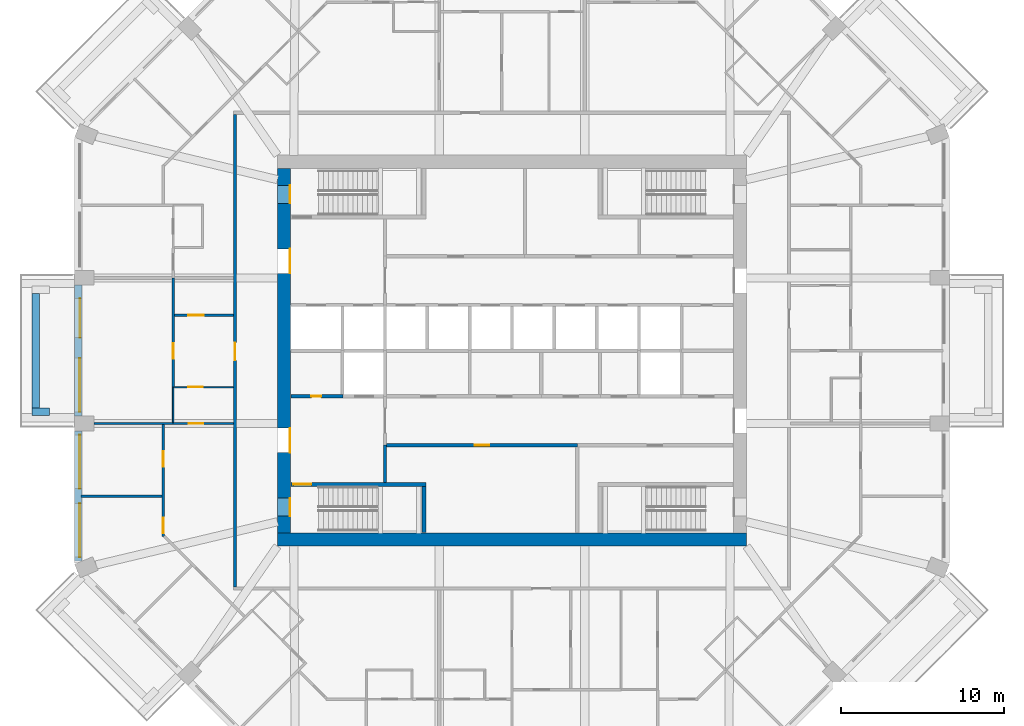
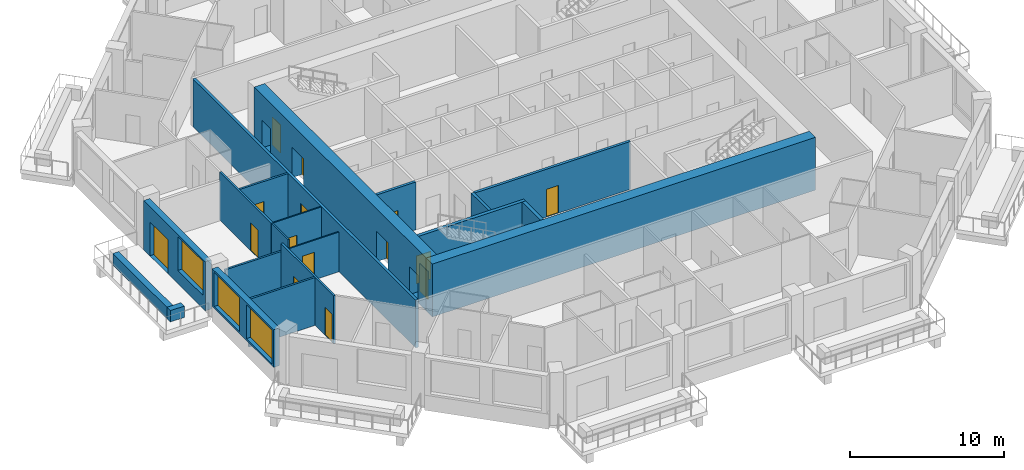
# One storey, part 4 of 13: 20 walls, 15 doors, 3 windows, 18 openings.
"""IFC4 building model written with IfcOpenShell, lengths in metres."""

from ifc_helpers import new_model, si_unit, direction, frame, frame_2d, origin, place, context, subcontext, project, spatial, rectangle, extrude, material, layer, layer_set, type_object, element, fill, save


model = new_model("IFC4")

# Units and contexts
model_context = context("Model", 3, precision=1e-05, world=origin(), true_north=direction((0.0, 1.0)))
body_context = subcontext(model_context, "Body", "Model", "MODEL_VIEW")
ifc_project = project(units=[si_unit("LENGTHUNIT", "METRE"), si_unit("AREAUNIT", "SQUARE_METRE"), si_unit("VOLUMEUNIT", "CUBIC_METRE"), si_unit("PLANEANGLEUNIT", "RADIAN"), si_unit("MASSUNIT", "GRAM", prefix="KILO")], contexts=[model_context])

# Site, building, storey
site_placement = place(None, origin())
site = spatial("IfcSite", under=ifc_project, at=site_placement, CompositionType="ELEMENT")
building_placement = place(site_placement, origin())
building = spatial("IfcBuilding", under=site, at=building_placement, Name="Msitu Wima Residences", CompositionType="ELEMENT")
storey_placement = place(building_placement, frame((0.0, 0.0, 152.699951171875)))
storey = spatial("IfcBuildingStorey", under=building, at=storey_placement, Name="L35", CompositionType="ELEMENT", Elevation=152.699951171875)

# Walls
ifc_material_1 = material(Name="Facing brick")
ifc_layer_1 = layer(ifc_material_1, 0.06494140625, Name="Facing brick")
ifc_material_2 = material(Name="Concrete C40/50", Category="concrete")
ifc_layer_2 = layer(ifc_material_2, 0.156005859375, Name="Concrete C40/50")
ifc_material_3 = material(Name="Waterproofing membrane")
ifc_layer_3 = layer(ifc_material_3, 0.00390625, Name="Waterproofing membrane")
ifc_material_4 = material(Name="Planting soil and planting")
ifc_layer_4 = layer(ifc_material_4, 0.22509765625, Name="Planting soil and planting")
ifc_layer_set_1 = layer_set([ifc_layer_1, ifc_layer_2, ifc_layer_3, ifc_layer_4], Name="Concrete C40/50")
wall_type_1 = type_object("IfcWallType", Name="Balcony planter PLANTER PL450", PredefinedType="USERDEFINED", material=ifc_layer_set_1)
wall_1_placement = place(storey_placement, frame((-29.22509765625, 3.5185546875, 0.0), z_axis=(0.0, 0.0, 1.0), x_axis=(0.0, -1.0, 0.0)))
element("IfcWall", 1, at=wall_1_placement, inside=storey, type_object=wall_type_1, Name="Balcony planter W1 L35", ObjectType="PLANTER", PredefinedType="USERDEFINED", context=body_context, shape_type="SweptSolid", body=[
    extrude(rectangle(XDim=7.037109375, YDim=0.449951171875, at=frame_2d((3.5185546875, 0.0))), origin(), (0.0, 0.0, 1.0), 0.900146484375),
])
wall_2_placement = place(storey_placement, frame((-28.39990234375, -3.74365234375, 0.0), z_axis=(0.0, 0.0, 1.0), x_axis=(-1.0, 0.0, 0.0)))
element("IfcWall", 2, at=wall_2_placement, inside=storey, type_object=wall_type_1, Name="Balcony planter W1 L35", ObjectType="PLANTER", PredefinedType="USERDEFINED", context=body_context, shape_type="SweptSolid", body=[
    extrude(rectangle(XDim=1.050048828125, YDim=0.449951171875, at=frame_2d((0.52490234375, 0.0))), origin(), (0.0, 0.0, 1.0), 0.900146484375),
])

# Wall, openings, door, window
ifc_material_5 = material(Name="Brick (red buff mix)", Category="masonry")
ifc_layer_5 = layer(ifc_material_5, 0.449951171875)
ifc_layer_set_2 = layer_set([ifc_layer_5], Name="Brick (red buff mix)")
wall_type_2 = type_object("IfcWallType", Name="Brick infill wall BW450", PredefinedType="SOLIDWALL", material=ifc_layer_set_2)
wall_3_placement = place(storey_placement, frame((-26.625, 4.0185546875, 0.0), z_axis=(0.0, 0.0, 1.0), x_axis=(0.0, -1.0, 0.0)))
wall_3 = element("IfcWall", 3, at=wall_3_placement, inside=storey, type_object=wall_type_2, Name="Brick infill wall L35 W1", PredefinedType="SOLIDWALL", context=body_context, shape_type="SweptSolid", body=[
    extrude(rectangle(XDim=8.037109375, YDim=0.449951171875, at=frame_2d((4.0185546875, 0.0))), origin(), (0.0, 0.0, 1.0), 3.900146484375),
])
opening_1_placement = place(wall_3_placement, frame((0.809326171875, 0.0, 0.0)))
opening_1 = element("IfcOpeningElement", 4, at=opening_1_placement, cuts=wall_3, Name="Opening D34-35.010", PredefinedType="OPENING", context=body_context, shape_type="SweptSolid", body=[
    extrude(rectangle(XDim=2.39990234375, YDim=2.699951171875, at=frame_2d((1.199951171875, 1.35009765625))), frame((0.0, 0.23486328125, 0.0), z_axis=(0.0, -1.0, 0.0), x_axis=(1.0, 0.0, 0.0)), (0.0, 0.0, 1.0), 0.469970703125),
])
opening_2_placement = place(wall_3_placement, frame((4.46875, 0.0, 1.050048828125)))
opening_2 = element("IfcOpeningElement", 5, at=opening_2_placement, cuts=wall_3, Name="Opening W34-35.028", PredefinedType="OPENING", context=body_context, shape_type="SweptSolid", body=[
    extrude(rectangle(XDim=3.300048828125, YDim=2.699951171875, at=frame_2d((1.64990234375, 1.35009765625))), frame((0.0, 0.23486328125, 0.0), z_axis=(0.0, -1.0, 0.0), x_axis=(1.0, 0.0, 0.0)), (0.0, 0.0, 1.0), 0.469970703125),
])
ifc_material_6 = material(Name="Anodised aluminium, bronze finish, clear low-emissivity double glazing", Category="aluminium")
door_type_1 = type_object("IfcDoorType", Name="Balcony door D2400x2700", OperationType="SLIDING_TO_LEFT", PredefinedType="DOOR", material=ifc_material_6)
door_1_placement = place(opening_1_placement, origin())
door_1 = element("IfcDoor", 6, at=door_1_placement, inside=storey, type_object=door_type_1, Name="Balcony door L35 W1", OperationType="SINGLE_SWING_LEFT", OverallHeight=2.699951171875, OverallWidth=2.39990234375, PredefinedType="DOOR", context=body_context, shape_type="SweptSolid", body=[
    extrude(rectangle(XDim=2.39990234375, YDim=2.699951171875, at=frame_2d((1.199951171875, 1.35009765625))), frame((0.0, 0.1298828125, 0.0), z_axis=(0.0, -1.0, 0.0), x_axis=(1.0, 0.0, 0.0)), (0.0, 0.0, 1.0), 0.050048828125),
])
fill(opening_1, door_1)
window_type = type_object("IfcWindowType", Name="Window W3300x2700", PartitioningType="DOUBLE_PANEL_VERTICAL", PredefinedType="WINDOW", material=ifc_material_6)
window_1_placement = place(opening_2_placement, origin())
window_1 = element("IfcWindow", 7, at=window_1_placement, inside=storey, type_object=window_type, Name="Window L35 W1.2", OverallHeight=2.699951171875, OverallWidth=3.300048828125, PartitioningType="SINGLE_PANEL", PredefinedType="WINDOW", context=body_context, shape_type="SweptSolid", body=[
    extrude(rectangle(XDim=3.300048828125, YDim=2.699951171875, at=frame_2d((1.64990234375, 1.35009765625))), frame((0.0, 0.135009765625, 0.0), z_axis=(0.0, -1.0, 0.0), x_axis=(1.0, 0.0, 0.0)), (0.0, 0.0, 1.0), 0.06005859375),
])
fill(opening_2, window_1)

# Wall, openings, windows
wall_4_placement = place(storey_placement, frame((-26.625, -4.918701171875, 0.900146484375), z_axis=(0.0, 0.0, 1.0), x_axis=(0.0, -1.0, 0.0)))
wall_4 = element("IfcWall", 8, at=wall_4_placement, inside=storey, type_object=wall_type_2, Name="Brick infill wall L35 W2", PredefinedType="SOLIDWALL", context=body_context, shape_type="SweptSolid", body=[
    extrude(rectangle(XDim=8.0, YDim=0.449951171875, at=frame_2d((4.0, 0.0))), origin(), (0.0, 0.0, 1.0), 3.0),
])
opening_3_placement = place(wall_4_placement, frame((0.25, 0.0, 0.14990234375)))
opening_3 = element("IfcOpeningElement", 9, at=opening_3_placement, cuts=wall_4, Name="Opening W34-35.029", PredefinedType="OPENING", context=body_context, shape_type="SweptSolid", body=[
    extrude(rectangle(XDim=3.300048828125, YDim=2.699951171875, at=frame_2d((1.64990234375, 1.35009765625))), frame((0.0, 0.23486328125, 0.0), z_axis=(0.0, -1.0, 0.0), x_axis=(1.0, 0.0, 0.0)), (0.0, 0.0, 1.0), 0.469970703125),
])
opening_4_placement = place(wall_4_placement, frame((4.4501953125, 0.0, 0.14990234375)))
opening_4 = element("IfcOpeningElement", 10, at=opening_4_placement, cuts=wall_4, Name="Opening W34-35.030", PredefinedType="OPENING", context=body_context, shape_type="SweptSolid", body=[
    extrude(rectangle(XDim=3.300048828125, YDim=2.699951171875, at=frame_2d((1.64990234375, 1.35009765625))), frame((0.0, 0.23486328125, 0.0), z_axis=(0.0, -1.0, 0.0), x_axis=(1.0, 0.0, 0.0)), (0.0, 0.0, 1.0), 0.469970703125),
])
window_2_placement = place(opening_3_placement, origin())
window_2 = element("IfcWindow", 11, at=window_2_placement, inside=storey, type_object=window_type, Name="Window L35 W2.1", OverallHeight=2.699951171875, OverallWidth=3.300048828125, PartitioningType="SINGLE_PANEL", PredefinedType="WINDOW", context=body_context, shape_type="SweptSolid", body=[
    extrude(rectangle(XDim=3.300048828125, YDim=2.699951171875, at=frame_2d((1.64990234375, 1.35009765625))), frame((0.0, 0.135009765625, 0.0), z_axis=(0.0, -1.0, 0.0), x_axis=(1.0, 0.0, 0.0)), (0.0, 0.0, 1.0), 0.06005859375),
])
fill(opening_3, window_2)
window_3_placement = place(opening_4_placement, origin())
window_3 = element("IfcWindow", 12, at=window_3_placement, inside=storey, type_object=window_type, Name="Window L35 W2.2", OverallHeight=2.699951171875, OverallWidth=3.300048828125, PartitioningType="SINGLE_PANEL", PredefinedType="WINDOW", context=body_context, shape_type="SweptSolid", body=[
    extrude(rectangle(XDim=3.300048828125, YDim=2.699951171875, at=frame_2d((1.64990234375, 1.35009765625))), frame((0.0, 0.135009765625, 0.0), z_axis=(0.0, -1.0, 0.0), x_axis=(1.0, 0.0, 0.0)), (0.0, 0.0, 1.0), 0.06005859375),
])
fill(opening_4, window_3)

# Wall
ifc_material_7 = material(Name="Concrete C70/85", Category="concrete")
ifc_layer_6 = layer(ifc_material_7, 0.800048828125)
ifc_layer_set_3 = layer_set([ifc_layer_6], Name="Concrete C70/85")
wall_type_3 = type_object("IfcWallType", Name="Core wall CW800 C70/85", PredefinedType="SHEAR", material=ifc_layer_set_3)
wall_5_placement = place(storey_placement, frame((-14.39990234375, -11.60009765625, 0.0), z_axis=(0.0, 0.0, 1.0), x_axis=(1.0, 0.0, 0.0)))
element("IfcWall", 13, at=wall_5_placement, inside=storey, type_object=wall_type_3, Name="Core wall", PredefinedType="SHEAR", context=body_context, shape_type="SweptSolid", body=[
    extrude(rectangle(XDim=28.7998046875, YDim=0.800048828125, at=frame_2d((14.39990234375, 0.0))), origin(), (0.0, 0.0, 1.0), 4.199951171875),
])

# Wall, openings, doors
wall_6_placement = place(storey_placement, frame((-14.0, -11.199951171875, 0.0), z_axis=(0.0, 0.0, 1.0), x_axis=(0.0, 1.0, 0.0)))
wall_6 = element("IfcWall", 14, at=wall_6_placement, inside=storey, type_object=wall_type_3, Name="Core wall", PredefinedType="SHEAR", context=body_context, shape_type="SweptSolid", body=[
    extrude(rectangle(XDim=22.39990234375, YDim=0.800048828125, at=frame_2d((11.199951171875, 0.0))), origin(), (0.0, 0.0, 1.0), 4.199951171875),
])
opening_5_placement = place(wall_6_placement, frame((20.25, 0.0, 0.0)))
opening_5 = element("IfcOpeningElement", 15, at=opening_5_placement, cuts=wall_6, Name="Opening D34-35.033", PredefinedType="OPENING", context=body_context, shape_type="SweptSolid", body=[
    extrude(rectangle(XDim=1.10009765625, YDim=2.199951171875, at=frame_2d((0.550048828125, 1.10009765625))), frame((0.0, 0.409912109375, 0.0), z_axis=(0.0, -1.0, 0.0), x_axis=(1.0, 0.0, 0.0)), (0.0, 0.0, 1.0), 0.820068359375),
])
opening_6_placement = place(wall_6_placement, frame((1.050048828125, 0.0, 0.0)))
opening_6 = element("IfcOpeningElement", 16, at=opening_6_placement, cuts=wall_6, Name="Opening D34-35.035", PredefinedType="OPENING", context=body_context, shape_type="SweptSolid", body=[
    extrude(rectangle(XDim=1.10009765625, YDim=2.199951171875, at=frame_2d((0.550048828125, 1.10009765625))), frame((0.0, 0.409912109375, 0.0), z_axis=(0.0, -1.0, 0.0), x_axis=(1.0, 0.0, 0.0)), (0.0, 0.0, 1.0), 0.820068359375),
])
opening_7_placement = place(wall_6_placement, frame((15.949951171875, 0.0, 0.0)))
opening_7 = element("IfcOpeningElement", 17, at=opening_7_placement, cuts=wall_6, Name="Opening D34-35.016", PredefinedType="OPENING", context=body_context, shape_type="SweptSolid", body=[
    extrude(rectangle(XDim=1.5, YDim=2.39990234375, at=frame_2d((0.75, 1.199951171875))), frame((0.0, 0.409912109375, 0.0), z_axis=(0.0, -1.0, 0.0), x_axis=(1.0, 0.0, 0.0)), (0.0, 0.0, 1.0), 0.820068359375),
])
opening_8_placement = place(wall_6_placement, frame((4.949951171875, 0.0, 0.0)))
opening_8 = element("IfcOpeningElement", 18, at=opening_8_placement, cuts=wall_6, Name="Opening D34-35.018", PredefinedType="OPENING", context=body_context, shape_type="SweptSolid", body=[
    extrude(rectangle(XDim=1.5, YDim=2.39990234375, at=frame_2d((0.75, 1.199951171875))), frame((0.0, 0.409912109375, 0.0), z_axis=(0.0, -1.0, 0.0), x_axis=(1.0, 0.0, 0.0)), (0.0, 0.0, 1.0), 0.820068359375),
])
ifc_material_8 = material(Name="Steel framed glazed door, fire resisting", Category="steel")
door_type_2 = type_object("IfcDoorType", Name="Lobby door D07 1500x2400", OperationType="DOUBLE_DOOR_SINGLE_SWING", PredefinedType="DOOR", material=ifc_material_8)
door_2_placement = place(opening_7_placement, origin())
door_2 = element("IfcDoor", 19, at=door_2_placement, inside=storey, type_object=door_type_2, Name="Lobby door", OperationType="DOUBLE_DOOR_SINGLE_SWING", OverallHeight=2.39990234375, OverallWidth=1.5, PredefinedType="DOOR", context=body_context, shape_type="SweptSolid", body=[
    extrude(rectangle(XDim=1.5, YDim=2.39990234375, at=frame_2d((0.75, 1.199951171875))), frame((0.0, -0.34521484375, 0.0), z_axis=(0.0, -1.0, 0.0), x_axis=(1.0, 0.0, 0.0)), (0.0, 0.0, 1.0), 0.050048828125),
])
fill(opening_7, door_2)
door_3_placement = place(opening_8_placement, origin())
door_3 = element("IfcDoor", 20, at=door_3_placement, inside=storey, type_object=door_type_2, Name="Lobby door", OperationType="DOUBLE_DOOR_SINGLE_SWING", OverallHeight=2.39990234375, OverallWidth=1.5, PredefinedType="DOOR", context=body_context, shape_type="SweptSolid", body=[
    extrude(rectangle(XDim=1.5, YDim=2.39990234375, at=frame_2d((0.75, 1.199951171875))), frame((0.0, -0.34521484375, 0.0), z_axis=(0.0, -1.0, 0.0), x_axis=(1.0, 0.0, 0.0)), (0.0, 0.0, 1.0), 0.050048828125),
])
fill(opening_8, door_3)
ifc_material_9 = material(Name="Steel door, fire resisting, panic bar", Category="steel")
door_type_3 = type_object("IfcDoorType", Name="Stair door D06 1100x2200", OperationType="SINGLE_SWING_LEFT", PredefinedType="DOOR", material=ifc_material_9)
door_4_placement = place(opening_5_placement, origin())
door_4 = element("IfcDoor", 21, at=door_4_placement, inside=storey, type_object=door_type_3, Name="Stair door", OperationType="SINGLE_SWING_RIGHT", OverallHeight=2.199951171875, OverallWidth=1.10009765625, PredefinedType="DOOR", context=body_context, shape_type="SweptSolid", body=[
    extrude(rectangle(XDim=1.10009765625, YDim=2.199951171875, at=frame_2d((0.550048828125, 1.10009765625))), frame((0.0, -0.34521484375, 0.0), z_axis=(0.0, -1.0, 0.0), x_axis=(1.0, 0.0, 0.0)), (0.0, 0.0, 1.0), 0.050048828125),
])
fill(opening_5, door_4)
door_5_placement = place(opening_6_placement, origin())
door_5 = element("IfcDoor", 22, at=door_5_placement, inside=storey, type_object=door_type_3, Name="Stair door", OperationType="SINGLE_SWING_LEFT", OverallHeight=2.199951171875, OverallWidth=1.10009765625, PredefinedType="DOOR", context=body_context, shape_type="SweptSolid", body=[
    extrude(rectangle(XDim=1.10009765625, YDim=2.199951171875, at=frame_2d((0.550048828125, 1.10009765625))), frame((0.0, -0.34521484375, 0.0), z_axis=(0.0, -1.0, 0.0), x_axis=(1.0, 0.0, 0.0)), (0.0, 0.0, 1.0), 0.050048828125),
])
fill(opening_6, door_5)

# Wall, opening, door
ifc_material_10 = material(Name="Plaster")
ifc_layer_7 = layer(ifc_material_10, 0.011962890625, Name="Plaster")
ifc_material_11 = material(Name="Concrete blockwork", Category="masonry")
ifc_layer_8 = layer(ifc_material_11, 0.176025390625, Name="Concrete blockwork")
ifc_layer_9 = layer(ifc_material_10, 0.011962890625, Name="Plaster")
ifc_layer_set_4 = layer_set([ifc_layer_7, ifc_layer_8, ifc_layer_9], Name="Concrete blockwork")
wall_type_4 = type_object("IfcWallType", Name="Corridor wall FW200", PredefinedType="PARTITIONING", material=ifc_layer_set_4)
wall_7_placement = place(storey_placement, frame((-17.0, -14.5, 0.0), z_axis=(0.0, 0.0, 1.0), x_axis=(0.0, 1.0, 0.0)))
wall_7 = element("IfcWall", 23, at=wall_7_placement, inside=storey, type_object=wall_type_4, Name="Corridor wall", PredefinedType="PARTITIONING", context=body_context, shape_type="SweptSolid", body=[
    extrude(rectangle(XDim=29.0, YDim=0.199951171875, at=frame_2d((14.5, 0.0))), origin(), (0.0, 0.0, 1.0), 3.798095703125),
])
opening_9_placement = place(wall_7_placement, frame((13.89990234375, 0.0, 0.0)))
opening_9 = element("IfcOpeningElement", 24, at=opening_9_placement, cuts=wall_7, Name="Opening D34-35.013", PredefinedType="OPENING", context=body_context, shape_type="SweptSolid", body=[
    extrude(rectangle(XDim=1.10009765625, YDim=2.39990234375, at=frame_2d((0.550048828125, 1.199951171875))), frame((0.0, 0.10986328125, 0.0), z_axis=(0.0, -1.0, 0.0), x_axis=(1.0, 0.0, 0.0)), (0.0, 0.0, 1.0), 0.219970703125),
])
ifc_material_12 = material(Name="Timber flush door, fire resisting, self-closing", Category="wood")
door_type_4 = type_object("IfcDoorType", Name="Flat entrance door D01 1100x2400", OperationType="SINGLE_SWING_LEFT", PredefinedType="DOOR", material=ifc_material_12)
door_6_placement = place(opening_9_placement, origin())
door_6 = element("IfcDoor", 25, at=door_6_placement, inside=storey, type_object=door_type_4, Name="Flat entrance door", OperationType="SINGLE_SWING_LEFT", OverallHeight=2.39990234375, OverallWidth=1.10009765625, PredefinedType="DOOR", context=body_context, shape_type="SweptSolid", body=[
    extrude(rectangle(XDim=1.10009765625, YDim=2.39990234375, at=frame_2d((0.550048828125, 1.199951171875))), frame((0.0, 0.02490234375, 0.0), z_axis=(0.0, -1.0, 0.0), x_axis=(1.0, 0.0, 0.0)), (0.0, 0.0, 1.0), 0.050048828125),
])
fill(opening_9, door_6)

# Walls
ifc_layer_10 = layer(ifc_material_10, 0.011962890625, Name="Plaster")
ifc_layer_11 = layer(ifc_material_11, 0.1259765625, Name="Concrete blockwork")
ifc_layer_12 = layer(ifc_material_10, 0.011962890625, Name="Plaster")
ifc_layer_set_5 = layer_set([ifc_layer_10, ifc_layer_11, ifc_layer_12], Name="Concrete blockwork")
wall_type_5 = type_object("IfcWallType", Name="Partition PW150", PredefinedType="PARTITIONING", material=ifc_layer_set_5)
wall_8_placement = place(storey_placement, frame((-26.455078125, -8.937255859375, 0.0), z_axis=(0.0, 0.0, 1.0), x_axis=(1.0, 0.0, 0.0)))
element("IfcWall", 26, at=wall_8_placement, inside=storey, type_object=wall_type_5, Name="Partition", PredefinedType="PARTITIONING", context=body_context, shape_type="SweptSolid", body=[
    extrude(rectangle(XDim=4.97998046875, YDim=0.14990234375, at=frame_2d((2.489990234375, 0.0))), origin(), (0.0, 0.0, 1.0), 3.798095703125),
])
wall_9_placement = place(storey_placement, frame((-25.64990234375, -4.46875, 0.0), z_axis=(0.0, 0.0, 1.0), x_axis=(1.0, 0.0, 0.0)))
element("IfcWall", 27, at=wall_9_placement, inside=storey, type_object=wall_type_5, Name="Partition", PredefinedType="PARTITIONING", context=body_context, shape_type="SweptSolid", body=[
    extrude(rectangle(XDim=4.849853515625, YDim=0.14990234375, at=frame_2d((2.4248046875, 0.0))), origin(), (0.0, 0.0, 1.0), 3.150146484375),
])

# Wall, openings, doors
wall_10_placement = place(storey_placement, frame((-21.39990234375, -11.409912109375, 0.0), z_axis=(0.0, 0.0, 1.0), x_axis=(0.0, 1.0, 0.0)))
wall_10 = element("IfcWall", 28, at=wall_10_placement, inside=storey, type_object=wall_type_5, Name="Partition", PredefinedType="PARTITIONING", context=body_context, shape_type="SweptSolid", body=[
    extrude(rectangle(XDim=6.8662109375, YDim=0.14990234375, at=frame_2d((3.43310546875, 0.0))), origin(), (0.0, 0.0, 1.0), 3.798095703125),
])
opening_10_placement = place(wall_10_placement, frame((4.300048828125, 0.0, 0.0)))
opening_10 = element("IfcOpeningElement", 29, at=opening_10_placement, cuts=wall_10, Name="Opening D34-35.063", PredefinedType="OPENING", context=body_context, shape_type="SweptSolid", body=[
    extrude(rectangle(XDim=0.949951171875, YDim=2.199951171875, at=frame_2d((0.47509765625, 1.10009765625))), frame((0.0, 0.0849609375, 0.0), z_axis=(0.0, -1.0, 0.0), x_axis=(1.0, 0.0, 0.0)), (0.0, 0.0, 1.0), 0.169921875),
])
opening_11_placement = place(wall_10_placement, frame((0.199951171875, 0.0, 0.0)))
opening_11 = element("IfcOpeningElement", 30, at=opening_11_placement, cuts=wall_10, Name="Opening D34-35.070", PredefinedType="OPENING", context=body_context, shape_type="SweptSolid", body=[
    extrude(rectangle(XDim=0.949951171875, YDim=2.199951171875, at=frame_2d((0.47509765625, 1.10009765625))), frame((0.0, 0.0849609375, 0.0), z_axis=(0.0, -1.0, 0.0), x_axis=(1.0, 0.0, 0.0)), (0.0, 0.0, 1.0), 0.169921875),
])
ifc_material_13 = material(Name="Timber flush door", Category="wood")
door_type_5 = type_object("IfcDoorType", Name="Room door D12 950x2200", OperationType="SINGLE_SWING_LEFT", PredefinedType="DOOR", material=ifc_material_13)
door_7_placement = place(opening_10_placement, origin())
door_7 = element("IfcDoor", 31, at=door_7_placement, inside=storey, type_object=door_type_5, Name="Room door", OperationType="SINGLE_SWING_RIGHT", OverallHeight=2.199951171875, OverallWidth=0.949951171875, PredefinedType="DOOR", context=body_context, shape_type="SweptSolid", body=[
    extrude(rectangle(XDim=0.949951171875, YDim=2.199951171875, at=frame_2d((0.47509765625, 1.10009765625))), frame((0.0, 0.02490234375, 0.0), z_axis=(0.0, -1.0, 0.0), x_axis=(1.0, 0.0, 0.0)), (0.0, 0.0, 1.0), 0.050048828125),
])
fill(opening_10, door_7)
door_8_placement = place(opening_11_placement, origin())
door_8 = element("IfcDoor", 32, at=door_8_placement, inside=storey, type_object=door_type_5, Name="Room door", OperationType="SINGLE_SWING_RIGHT", OverallHeight=2.199951171875, OverallWidth=0.949951171875, PredefinedType="DOOR", context=body_context, shape_type="SweptSolid", body=[
    extrude(rectangle(XDim=0.949951171875, YDim=2.199951171875, at=frame_2d((0.47509765625, 1.10009765625))), frame((0.0, 0.02490234375, 0.0), z_axis=(0.0, -1.0, 0.0), x_axis=(1.0, 0.0, 0.0)), (0.0, 0.0, 1.0), 0.050048828125),
])
fill(opening_11, door_8)

# Wall, opening, door
wall_11_placement = place(storey_placement, frame((-20.800048828125, -2.25146484375, 0.0), z_axis=(0.0, 0.0, 1.0), x_axis=(0.0, 1.0, 0.0)))
wall_11 = element("IfcWall", 33, at=wall_11_placement, inside=storey, type_object=wall_type_5, Name="Partition", PredefinedType="PARTITIONING", context=body_context, shape_type="SweptSolid", body=[
    extrude(rectangle(XDim=6.72021484375, YDim=0.14990234375, at=frame_2d((3.360107421875, 0.0))), origin(), (0.0, 0.0, 1.0), 3.798095703125),
])
opening_12_placement = place(wall_11_placement, frame((1.75, 0.0, 0.0)))
opening_12 = element("IfcOpeningElement", 34, at=opening_12_placement, cuts=wall_11, Name="Opening D34-35.058", PredefinedType="OPENING", context=body_context, shape_type="SweptSolid", body=[
    extrude(rectangle(XDim=0.949951171875, YDim=2.199951171875, at=frame_2d((0.47509765625, 1.10009765625))), frame((0.0, 0.0849609375, 0.0), z_axis=(0.0, -1.0, 0.0), x_axis=(1.0, 0.0, 0.0)), (0.0, 0.0, 1.0), 0.169921875),
])
door_9_placement = place(opening_12_placement, origin())
door_9 = element("IfcDoor", 35, at=door_9_placement, inside=storey, type_object=door_type_5, Name="Room door", OperationType="SINGLE_SWING_LEFT", OverallHeight=2.199951171875, OverallWidth=0.949951171875, PredefinedType="DOOR", context=body_context, shape_type="SweptSolid", body=[
    extrude(rectangle(XDim=0.949951171875, YDim=2.199951171875, at=frame_2d((0.47509765625, 1.10009765625))), frame((0.0, 0.02490234375, 0.0), z_axis=(0.0, -1.0, 0.0), x_axis=(1.0, 0.0, 0.0)), (0.0, 0.0, 1.0), 0.050048828125),
])
fill(opening_12, door_9)

wall_12_placement = place(storey_placement, frame((-20.72509765625, 2.168701171875, 0.0), z_axis=(0.0, 0.0, 1.0), x_axis=(1.0, 0.0, 0.0)))
wall_12 = element("IfcWall", 36, at=wall_12_placement, inside=storey, type_object=wall_type_5, Name="Partition", PredefinedType="PARTITIONING", context=body_context, shape_type="SweptSolid", body=[
    extrude(rectangle(XDim=3.625, YDim=0.14990234375, at=frame_2d((1.8125, 0.0))), origin(), (0.0, 0.0, 1.0), 3.798095703125),
])
opening_13_placement = place(wall_12_placement, frame((0.85009765625, 0.0, 0.0)))
opening_13 = element("IfcOpeningElement", 37, at=opening_13_placement, cuts=wall_12, Name="Opening D34-35.060", PredefinedType="OPENING", context=body_context, shape_type="SweptSolid", body=[
    extrude(rectangle(XDim=0.949951171875, YDim=2.199951171875, at=frame_2d((0.47509765625, 1.10009765625))), frame((0.0, 0.0849609375, 0.0), z_axis=(0.0, -1.0, 0.0), x_axis=(1.0, 0.0, 0.0)), (0.0, 0.0, 1.0), 0.169921875),
])
door_10_placement = place(opening_13_placement, origin())
door_10 = element("IfcDoor", 38, at=door_10_placement, inside=storey, type_object=door_type_5, Name="Room door", OperationType="SINGLE_SWING_LEFT", OverallHeight=2.199951171875, OverallWidth=0.949951171875, PredefinedType="DOOR", context=body_context, shape_type="SweptSolid", body=[
    extrude(rectangle(XDim=0.949951171875, YDim=2.199951171875, at=frame_2d((0.47509765625, 1.10009765625))), frame((0.0, 0.02490234375, 0.0), z_axis=(0.0, -1.0, 0.0), x_axis=(1.0, 0.0, 0.0)), (0.0, 0.0, 1.0), 0.050048828125),
])
fill(opening_13, door_10)

ifc_layer_13 = layer(ifc_material_10, 0.011962890625, Name="Plaster")
ifc_material_14 = material(Name="Reinforced concrete blockwork", Category="masonry")
ifc_layer_14 = layer(ifc_material_14, 0.176025390625, Name="Reinforced concrete blockwork")
ifc_layer_15 = layer(ifc_material_10, 0.011962890625, Name="Plaster")
ifc_layer_set_6 = layer_set([ifc_layer_13, ifc_layer_14, ifc_layer_15], Name="Reinforced concrete blockwork")
wall_type_6 = type_object("IfcWallType", Name="Plant and riser wall PL200", PredefinedType="PARTITIONING", material=ifc_layer_set_6)
wall_13_placement = place(storey_placement, frame((-13.570068359375, -2.800048828125, 0.0), z_axis=(0.0, 0.0, 1.0), x_axis=(1.0, 0.0, 0.0)))
wall_13 = element("IfcWall", 39, at=wall_13_placement, inside=storey, type_object=wall_type_6, Name="Plant and riser wall", PredefinedType="PARTITIONING", context=body_context, shape_type="SweptSolid", body=[
    extrude(rectangle(XDim=3.190185546875, YDim=0.199951171875, at=frame_2d((1.59521484375, 0.0))), origin(), (0.0, 0.0, 1.0), 3.798095703125),
])
opening_14_placement = place(wall_13_placement, frame((1.25, 0.0, 0.0)))
opening_14 = element("IfcOpeningElement", 40, at=opening_14_placement, cuts=wall_13, Name="Opening D34-35.028", PredefinedType="OPENING", context=body_context, shape_type="SweptSolid", body=[
    extrude(rectangle(XDim=0.60009765625, YDim=2.0, at=frame_2d((0.300048828125, 1.0))), frame((0.0, 0.10986328125, 0.0), z_axis=(0.0, -1.0, 0.0), x_axis=(1.0, 0.0, 0.0)), (0.0, 0.0, 1.0), 0.219970703125),
])
ifc_material_15 = material(Name="Steel access door, fire resisting", Category="steel")
door_type_6 = type_object("IfcDoorType", Name="Riser access door D08 600x2000", OperationType="SINGLE_SWING_LEFT", PredefinedType="DOOR", material=ifc_material_15)
door_11_placement = place(opening_14_placement, origin())
door_11 = element("IfcDoor", 41, at=door_11_placement, inside=storey, type_object=door_type_6, Name="Riser access door", OperationType="SINGLE_SWING_RIGHT", OverallHeight=2.0, OverallWidth=0.60009765625, PredefinedType="DOOR", context=body_context, shape_type="SweptSolid", body=[
    extrude(rectangle(XDim=0.60009765625, YDim=2.0, at=frame_2d((0.300048828125, 1.0))), frame((0.0, 0.02490234375, 0.0), z_axis=(0.0, -1.0, 0.0), x_axis=(1.0, 0.0, 0.0)), (0.0, 0.0, 1.0), 0.050048828125),
])
fill(opening_14, door_11)

# Wall
wall_14_placement = place(storey_placement, frame((-7.800048828125, -8.074951171875, 0.0), z_axis=(0.0, 0.0, 1.0), x_axis=(0.0, 1.0, 0.0)))
element("IfcWall", 42, at=wall_14_placement, inside=storey, type_object=wall_type_6, Name="Plant and riser wall", PredefinedType="PARTITIONING", context=body_context, shape_type="SweptSolid", body=[
    extrude(rectangle(XDim=2.27490234375, YDim=0.199951171875, at=frame_2d((1.137451171875, 0.0))), origin(), (0.0, 0.0, 1.0), 3.798095703125),
])

# Wall, opening, door
wall_15_placement = place(storey_placement, frame((-7.699951171875, -5.800048828125, 0.0), z_axis=(0.0, 0.0, 1.0), x_axis=(1.0, 0.0, 0.0)))
wall_15 = element("IfcWall", 43, at=wall_15_placement, inside=storey, type_object=wall_type_6, Name="Plant and riser wall", PredefinedType="PARTITIONING", context=body_context, shape_type="SweptSolid", body=[
    extrude(rectangle(XDim=11.719970703125, YDim=0.199951171875, at=frame_2d((5.85986328125, 0.0))), origin(), (0.0, 0.0, 1.0), 3.798095703125),
])
opening_15_placement = place(wall_15_placement, frame((5.39990234375, 0.0, 0.0)))
opening_15 = element("IfcOpeningElement", 44, at=opening_15_placement, cuts=wall_15, Name="Opening D34-35.023", PredefinedType="OPENING", context=body_context, shape_type="SweptSolid", body=[
    extrude(rectangle(XDim=0.89990234375, YDim=2.199951171875, at=frame_2d((0.449951171875, 1.10009765625))), frame((0.0, 0.10986328125, 0.0), z_axis=(0.0, -1.0, 0.0), x_axis=(1.0, 0.0, 0.0)), (0.0, 0.0, 1.0), 0.219970703125),
])
door_type_7 = type_object("IfcDoorType", Name="Service door D05 900x2200", OperationType="SINGLE_SWING_LEFT", PredefinedType="DOOR", material=ifc_material_13)
door_12_placement = place(opening_15_placement, origin())
door_12 = element("IfcDoor", 45, at=door_12_placement, inside=storey, type_object=door_type_7, Name="Service door", OperationType="SINGLE_SWING_RIGHT", OverallHeight=2.199951171875, OverallWidth=0.89990234375, PredefinedType="DOOR", context=body_context, shape_type="SweptSolid", body=[
    extrude(rectangle(XDim=0.89990234375, YDim=2.199951171875, at=frame_2d((0.449951171875, 1.10009765625))), frame((0.0, 0.02490234375, 0.0), z_axis=(0.0, -1.0, 0.0), x_axis=(1.0, 0.0, 0.0)), (0.0, 0.0, 1.0), 0.050048828125),
])
fill(opening_15, door_12)

ifc_material_16 = material(Name="Concrete C50/60", Category="concrete")
ifc_layer_16 = layer(ifc_material_16, 0.25)
ifc_layer_set_7 = layer_set([ifc_layer_16], Name="Concrete C50/60")
wall_type_7 = type_object("IfcWallType", Name="Stair enclosure wall SW250", PredefinedType="SHEAR", material=ifc_layer_set_7)
wall_16_placement = place(storey_placement, frame((-13.570068359375, -8.199951171875, 0.0), z_axis=(0.0, 0.0, 1.0), x_axis=(1.0, 0.0, 0.0)))
wall_16 = element("IfcWall", 46, at=wall_16_placement, inside=storey, type_object=wall_type_7, Name="Stair enclosure wall", PredefinedType="SHEAR", context=body_context, shape_type="SweptSolid", body=[
    extrude(rectangle(XDim=8.295166015625, YDim=0.25, at=frame_2d((4.1474609375, 0.0))), origin(), (0.0, 0.0, 1.0), 3.798095703125),
])
opening_16_placement = place(wall_16_placement, frame((0.14990234375, 0.0, 0.0)))
opening_16 = element("IfcOpeningElement", 47, at=opening_16_placement, cuts=wall_16, Name="Opening D34-35.036", PredefinedType="OPENING", context=body_context, shape_type="SweptSolid", body=[
    extrude(rectangle(XDim=1.10009765625, YDim=2.199951171875, at=frame_2d((0.550048828125, 1.10009765625))), frame((0.0, 0.135009765625, 0.0), z_axis=(0.0, -1.0, 0.0), x_axis=(1.0, 0.0, 0.0)), (0.0, 0.0, 1.0), 0.27001953125),
])
door_13_placement = place(opening_16_placement, origin())
door_13 = element("IfcDoor", 48, at=door_13_placement, inside=storey, type_object=door_type_3, Name="Stair door", OperationType="SINGLE_SWING_RIGHT", OverallHeight=2.199951171875, OverallWidth=1.10009765625, PredefinedType="DOOR", context=body_context, shape_type="SweptSolid", body=[
    extrude(rectangle(XDim=1.10009765625, YDim=2.199951171875, at=frame_2d((0.550048828125, 1.10009765625))), frame((0.0, 0.02490234375, 0.0), z_axis=(0.0, -1.0, 0.0), x_axis=(1.0, 0.0, 0.0)), (0.0, 0.0, 1.0), 0.050048828125),
])
fill(opening_16, door_13)

# Wall
wall_17_placement = place(storey_placement, frame((-5.39990234375, -11.169921875, 0.0), z_axis=(0.0, 0.0, 1.0), x_axis=(0.0, 1.0, 0.0)))
element("IfcWall", 49, at=wall_17_placement, inside=storey, type_object=wall_type_7, Name="Stair enclosure wall", PredefinedType="SHEAR", context=body_context, shape_type="SweptSolid", body=[
    extrude(rectangle(XDim=2.844970703125, YDim=0.25, at=frame_2d((1.42236328125, 0.0))), origin(), (0.0, 0.0, 1.0), 3.798095703125),
])

# Wall, opening, door
ifc_material_17 = material(Name="Ceramic tiles")
ifc_layer_17 = layer(ifc_material_17, 0.008056640625, Name="Ceramic tiles")
ifc_material_18 = material(Name="Moisture-resistant board")
ifc_layer_18 = layer(ifc_material_18, 0.012451171875, Name="Moisture-resistant board")
ifc_material_19 = material(Name="Light-gauge stud framing with mineral wool")
ifc_layer_19 = layer(ifc_material_19, 0.06689453125, Name="Light-gauge stud framing with mineral wool")
ifc_layer_20 = layer(ifc_material_18, 0.012451171875, Name="Moisture-resistant board")
ifc_layer_set_8 = layer_set([ifc_layer_17, ifc_layer_18, ifc_layer_19, ifc_layer_20], Name="Light-gauge stud framing with mineral wool")
wall_type_8 = type_object("IfcWallType", Name="Wet wall PW100", PredefinedType="PARTITIONING", material=ifc_layer_set_8)
wall_18_placement = place(storey_placement, frame((-20.800048828125, -4.46875, 0.0), z_axis=(0.0, 0.0, 1.0), x_axis=(1.0, 0.0, 0.0)))
wall_18 = element("IfcWall", 50, at=wall_18_placement, inside=storey, type_object=wall_type_8, Name="Wet wall", PredefinedType="PARTITIONING", context=body_context, shape_type="SweptSolid", body=[
    extrude(rectangle(XDim=3.699951171875, YDim=0.10009765625, at=frame_2d((1.85009765625, 0.0))), origin(), (0.0, 0.0, 1.0), 3.150146484375),
])
opening_17_placement = place(wall_18_placement, frame((0.949951171875, 0.0, 0.0)))
opening_17 = element("IfcOpeningElement", 51, at=opening_17_placement, cuts=wall_18, Name="Opening D34-35.062", PredefinedType="OPENING", context=body_context, shape_type="SweptSolid", body=[
    extrude(rectangle(XDim=0.89990234375, YDim=2.199951171875, at=frame_2d((0.449951171875, 1.10009765625))), frame((0.0, 0.06005859375, 0.0), z_axis=(0.0, -1.0, 0.0), x_axis=(1.0, 0.0, 0.0)), (0.0, 0.0, 1.0), 0.1201171875),
])
ifc_material_20 = material(Name="Timber flush door, moisture resistant", Category="wood")
door_type_8 = type_object("IfcDoorType", Name="Bathroom door D03 900x2200", OperationType="SINGLE_SWING_LEFT", PredefinedType="DOOR", material=ifc_material_20)
door_14_placement = place(opening_17_placement, origin())
door_14 = element("IfcDoor", 52, at=door_14_placement, inside=storey, type_object=door_type_8, Name="Bathroom door", OperationType="SINGLE_SWING_LEFT", OverallHeight=2.199951171875, OverallWidth=0.89990234375, PredefinedType="DOOR", context=body_context, shape_type="SweptSolid", body=[
    extrude(rectangle(XDim=0.89990234375, YDim=2.199951171875, at=frame_2d((0.449951171875, 1.10009765625))), frame((0.0, 0.02490234375, 0.0), z_axis=(0.0, -1.0, 0.0), x_axis=(1.0, 0.0, 0.0)), (0.0, 0.0, 1.0), 0.050048828125),
])
fill(opening_17, door_14)

# Wall
wall_19_placement = place(storey_placement, frame((-20.800048828125, -4.3935546875, 0.0), z_axis=(0.0, 0.0, 1.0), x_axis=(0.0, 1.0, 0.0)))
element("IfcWall", 53, at=wall_19_placement, inside=storey, type_object=wall_type_8, Name="Wet wall", PredefinedType="PARTITIONING", context=body_context, shape_type="SweptSolid", body=[
    extrude(rectangle(XDim=2.14208984375, YDim=0.10009765625, at=frame_2d((1.071044921875, 0.0))), origin(), (0.0, 0.0, 1.0), 3.798095703125),
])

# Wall, opening, door
wall_20_placement = place(storey_placement, frame((-20.72509765625, -2.2314453125, 0.0), z_axis=(0.0, 0.0, 1.0), x_axis=(1.0, 0.0, 0.0)))
wall_20 = element("IfcWall", 54, at=wall_20_placement, inside=storey, type_object=wall_type_8, Name="Wet wall", PredefinedType="PARTITIONING", context=body_context, shape_type="SweptSolid", body=[
    extrude(rectangle(XDim=3.625, YDim=0.10009765625, at=frame_2d((1.8125, 0.0))), origin(), (0.0, 0.0, 1.0), 3.798095703125),
])
opening_18_placement = place(wall_20_placement, frame((0.85009765625, 0.0, 0.0)))
opening_18 = element("IfcOpeningElement", 55, at=opening_18_placement, cuts=wall_20, Name="Opening D34-35.059", PredefinedType="OPENING", context=body_context, shape_type="SweptSolid", body=[
    extrude(rectangle(XDim=0.89990234375, YDim=2.199951171875, at=frame_2d((0.449951171875, 1.10009765625))), frame((0.0, 0.06005859375, 0.0), z_axis=(0.0, -1.0, 0.0), x_axis=(1.0, 0.0, 0.0)), (0.0, 0.0, 1.0), 0.1201171875),
])
door_15_placement = place(opening_18_placement, origin())
door_15 = element("IfcDoor", 56, at=door_15_placement, inside=storey, type_object=door_type_8, Name="Bathroom door", OperationType="SINGLE_SWING_RIGHT", OverallHeight=2.199951171875, OverallWidth=0.89990234375, PredefinedType="DOOR", context=body_context, shape_type="SweptSolid", body=[
    extrude(rectangle(XDim=0.89990234375, YDim=2.199951171875, at=frame_2d((0.449951171875, 1.10009765625))), frame((0.0, 0.02490234375, 0.0), z_axis=(0.0, -1.0, 0.0), x_axis=(1.0, 0.0, 0.0)), (0.0, 0.0, 1.0), 0.050048828125),
])
fill(opening_18, door_15)

save(model, "model.ifc")
